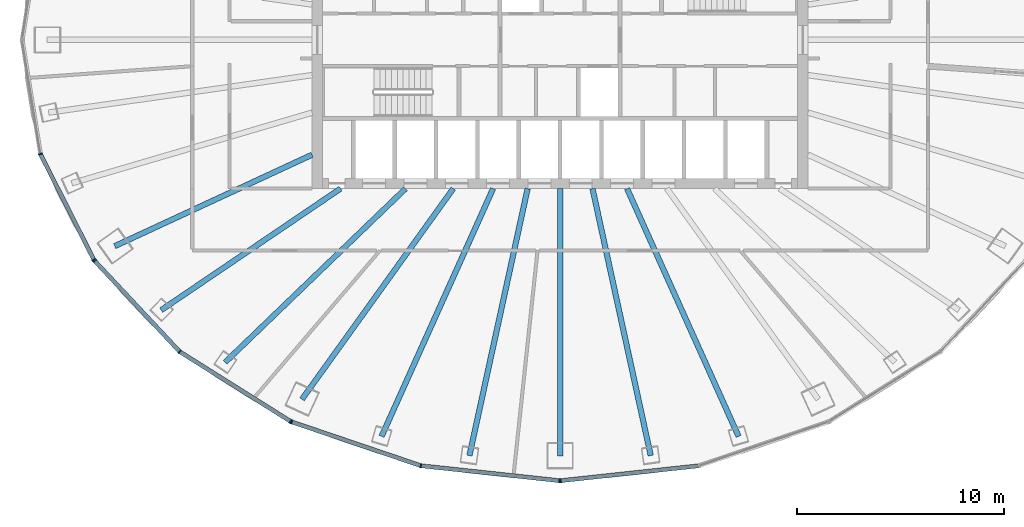
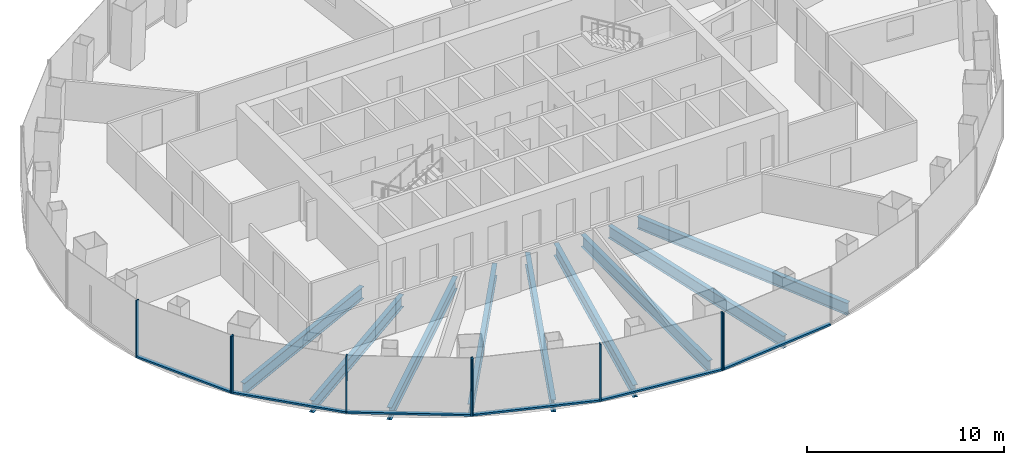
# One storey, part 2 of 12: 15 members, 9 beams, 4 elements without a shape of their own.
"""IFC4 building model written with IfcOpenShell, lengths in metres."""

from ifc_helpers import new_model, si_unit, direction, frame, origin, origin_2d, place, context, subcontext, project, spatial, rectangle, i_section, extrude, material, layer, layer_set, material_profile, profile_set, type_object, element, aggregate, save


model = new_model("IFC4")

# Units and contexts
model_context = context("Model", 3, precision=1e-05, world=origin(), true_north=direction((0.0, 1.0)))
body_context = subcontext(model_context, "Body", "Model", "MODEL_VIEW")
ifc_project = project(units=[si_unit("LENGTHUNIT", "METRE"), si_unit("AREAUNIT", "SQUARE_METRE"), si_unit("VOLUMEUNIT", "CUBIC_METRE"), si_unit("PLANEANGLEUNIT", "RADIAN"), si_unit("MASSUNIT", "GRAM", prefix="KILO")], contexts=[model_context])

# Site, building, storey
site_placement = place(None, origin())
site = spatial("IfcSite", under=ifc_project, at=site_placement, CompositionType="ELEMENT")
building_placement = place(site_placement, origin())
building = spatial("IfcBuilding", under=site, at=building_placement, Name="Siaravel Broadcast Tower", CompositionType="ELEMENT")
storey_placement = place(building_placement, frame((0.0, 0.0, 104.5)))
storey = spatial("IfcBuildingStorey", under=building, at=storey_placement, Name="L24", CompositionType="ELEMENT", Elevation=104.5)

# Beams
ifc_material_1 = material(Name="Steel S355", Category="steel")
ifc_material_profile_1 = material_profile(ifc_material_1, i_section(OverallWidth=0.26513671875, OverallDepth=0.75390625, WebThickness=0.0126953125, FlangeThickness=0.017578125, FilletRadius=0.0166015625, at=origin_2d()))
ifc_profile_set_1 = profile_set([ifc_material_profile_1], Name="Steel S355")
beam_type = type_object("IfcBeamType", Name="BM-UB 762x267x147", PredefinedType="BEAM", material=ifc_profile_set_1)
beam_1_placement = place(storey_placement, frame((-21.552978515625, -9.984130859375, -0.52685546875), z_axis=(0.90737209, 0.420328312, 0.0), x_axis=(-0.420328312, 0.90737209, 0.0)))
element("IfcBeam", 1, at=beam_1_placement, inside=storey, type_object=beam_type, Name="Radial beam RB22", PredefinedType="BEAM", context=body_context, shape_type="SweptSolid", body=[
    extrude(i_section(OverallWidth=0.26513671875, OverallDepth=0.75390625, WebThickness=0.0126953125, FlangeThickness=0.017578125, FilletRadius=0.0166015625, at=origin_2d()), origin(), (0.0, 0.0, 1.0), 10.528076171875),
])
beam_2_placement = place(storey_placement, frame((-19.30126953125, -13.07763671875, -0.52685546875), z_axis=(0.827865291, 0.560926964, 0.0), x_axis=(-0.560926964, 0.827865291, 0.0)))
element("IfcBeam", 2, at=beam_2_placement, inside=storey, type_object=beam_type, Name="Radial beam RB23", PredefinedType="BEAM", context=body_context, shape_type="SweptSolid", body=[
    extrude(i_section(OverallWidth=0.26513671875, OverallDepth=0.75390625, WebThickness=0.0126953125, FlangeThickness=0.017578125, FilletRadius=0.0166015625, at=origin_2d()), origin(), (0.0, 0.0, 1.0), 10.478515625),
])
beam_3_placement = place(storey_placement, frame((-16.21142578125, -15.6083984375, -0.52685546875), z_axis=(0.720372012, 0.693587892, 0.0), x_axis=(-0.693587892, 0.720372012, 0.0)))
element("IfcBeam", 3, at=beam_3_placement, inside=storey, type_object=beam_type, Name="Radial beam RB24", PredefinedType="BEAM", context=body_context, shape_type="SweptSolid", body=[
    extrude(i_section(OverallWidth=0.26513671875, OverallDepth=0.75390625, WebThickness=0.0126953125, FlangeThickness=0.017578125, FilletRadius=0.0166015625, at=origin_2d()), origin(), (0.0, 0.0, 1.0), 12.123046875),
])
beam_4_placement = place(storey_placement, frame((-12.492431640625, -17.396484375, -0.52685546875), z_axis=(0.583282136, 0.812269628, 0.0), x_axis=(-0.812269628, 0.583282136, 0.0)))
element("IfcBeam", 4, at=beam_4_placement, inside=storey, type_object=beam_type, Name="Radial beam RB25", PredefinedType="BEAM", context=body_context, shape_type="SweptSolid", body=[
    extrude(i_section(OverallWidth=0.26513671875, OverallDepth=0.75390625, WebThickness=0.0126953125, FlangeThickness=0.017578125, FilletRadius=0.0166015625, at=origin_2d()), origin(), (0.0, 0.0, 1.0), 12.55322265625),
])
beam_5_placement = place(storey_placement, frame((-8.638427734375, -19.1884765625, -0.52685546875), z_axis=(0.410499795, 0.91186069, 0.0), x_axis=(-0.91186069, 0.410499795, 0.0)))
element("IfcBeam", 5, at=beam_5_placement, inside=storey, type_object=beam_type, Name="Radial beam RB26", PredefinedType="BEAM", context=body_context, shape_type="SweptSolid", body=[
    extrude(i_section(OverallWidth=0.26513671875, OverallDepth=0.75390625, WebThickness=0.0126953125, FlangeThickness=0.017578125, FilletRadius=0.0166015625, at=origin_2d()), origin(), (0.0, 0.0, 1.0), 13.147216796875),
])
beam_6_placement = place(storey_placement, frame((-4.387451171875, -20.12158203125, -0.52685546875), z_axis=(0.213031228, 0.977045391, 0.0), x_axis=(-0.977045391, 0.213031228, 0.0)))
element("IfcBeam", 6, at=beam_6_placement, inside=storey, type_object=beam_type, Name="Radial beam RB27", PredefinedType="BEAM", context=body_context, shape_type="SweptSolid", body=[
    extrude(i_section(OverallWidth=0.26513671875, OverallDepth=0.75390625, WebThickness=0.0126953125, FlangeThickness=0.017578125, FilletRadius=0.0166015625, at=origin_2d()), origin(), (0.0, 0.0, 1.0), 13.22509765625),
])
beam_7_placement = place(storey_placement, frame((0.0, -20.135986328125, -0.52685546875), z_axis=(0.0, 1.0, 0.0), x_axis=(-1.0, 0.0, 0.0)))
element("IfcBeam", 7, at=beam_7_placement, inside=storey, type_object=beam_type, Name="Radial beam RB28", PredefinedType="BEAM", context=body_context, shape_type="SweptSolid", body=[
    extrude(i_section(OverallWidth=0.26513671875, OverallDepth=0.75390625, WebThickness=0.0126953125, FlangeThickness=0.017578125, FilletRadius=0.0166015625, at=origin_2d()), origin(), (0.0, 0.0, 1.0), 12.93603515625),
])
beam_8_placement = place(storey_placement, frame((4.387451171875, -20.12158203125, -0.52685546875), z_axis=(-0.213031228, 0.977045391, 0.0), x_axis=(-0.977045391, -0.213031228, 0.0)))
element("IfcBeam", 8, at=beam_8_placement, inside=storey, type_object=beam_type, Name="Radial beam RB29", PredefinedType="BEAM", context=body_context, shape_type="SweptSolid", body=[
    extrude(i_section(OverallWidth=0.26513671875, OverallDepth=0.75390625, WebThickness=0.0126953125, FlangeThickness=0.017578125, FilletRadius=0.0166015625, at=origin_2d()), origin(), (0.0, 0.0, 1.0), 13.22509765625),
])
beam_9_placement = place(storey_placement, frame((8.638427734375, -19.1884765625, -0.52685546875), z_axis=(-0.410499795, 0.91186069, 0.0), x_axis=(-0.91186069, -0.410499795, 0.0)))
element("IfcBeam", 9, at=beam_9_placement, inside=storey, type_object=beam_type, Name="Radial beam RB30", PredefinedType="BEAM", context=body_context, shape_type="SweptSolid", body=[
    extrude(i_section(OverallWidth=0.26513671875, OverallDepth=0.75390625, WebThickness=0.0126953125, FlangeThickness=0.017578125, FilletRadius=0.0166015625, at=origin_2d()), origin(), (0.0, 0.0, 1.0), 13.147216796875),
])

# Curtain wall, members
ifc_material_2 = material(Name="Aluminium 6063-T6", Category="aluminium")
ifc_layer = layer(ifc_material_2, 0.199951171875)
ifc_layer_set = layer_set([ifc_layer], Name="Aluminium 6063-T6")
curtain_wall_type = type_object("IfcCurtainWallType", Name="Unitised curtain wall, zone 2", PredefinedType="NOTDEFINED", material=ifc_layer_set)
curtain_wall_1_placement = place(storey_placement, origin())
curtain_wall_1 = element("IfcCurtainWall", 10, at=curtain_wall_1_placement, inside=storey, type_object=curtain_wall_type, Name="L24 Unitised curtain wall, zone 2 07", PredefinedType="NOTDEFINED")
ifc_material_profile_2 = material_profile(ifc_material_2, rectangle(XDim=0.199951171875, YDim=0.06494140625, at=origin_2d()))
ifc_profile_set_2 = profile_set([ifc_material_profile_2], Name="Aluminium 6063-T6")
member_type_1 = type_object("IfcMemberType", Name="CW-Z2 mullion", PredefinedType="MULLION", material=ifc_profile_set_2)
member_1_placement = place(storey_placement, frame((-25.151611328125, -5.525390625, 0.0), z_axis=(0.0, 0.0, 1.0), x_axis=(0.951177085, 0.308645676, 0.0)))
member_1 = element("IfcMember", 11, at=member_1_placement, type_object=member_type_1, Name="CW-Z2 mullion 2", PredefinedType="MULLION", context=body_context, shape_type="SweptSolid", body=[
    extrude(rectangle(XDim=0.199951171875, YDim=0.06494140625, at=origin_2d()), origin(), (0.0, 0.0, 1.0), 3.550048828125),
])
member_2_placement = place(storey_placement, frame((-22.56298828125, -10.64404296875, 0.0), z_axis=(0.0, 0.0, 1.0), x_axis=(0.892391822, 0.451261384, 0.0)))
member_2 = element("IfcMember", 12, at=member_2_placement, type_object=member_type_1, Name="CW-Z2 mullion 3", PredefinedType="MULLION", context=body_context, shape_type="SweptSolid", body=[
    extrude(rectangle(XDim=0.199951171875, YDim=0.06494140625, at=origin_2d()), origin(), (0.0, 0.0, 1.0), 3.550048828125),
])

curtain_wall_2_placement = place(storey_placement, origin())
curtain_wall_2 = element("IfcCurtainWall", 13, at=curtain_wall_2_placement, inside=storey, type_object=curtain_wall_type, Name="L24 Unitised curtain wall, zone 2 08", PredefinedType="NOTDEFINED")
member_3_placement = place(storey_placement, frame((-22.526123046875, -10.69677734375, 0.0), z_axis=(0.0, 0.0, 1.0), x_axis=(0.729804854, 0.683655524, 0.0)))
member_3 = element("IfcMember", 14, at=member_3_placement, type_object=member_type_1, Name="CW-Z2 mullion 1", PredefinedType="MULLION", context=body_context, shape_type="SweptSolid", body=[
    extrude(rectangle(XDim=0.199951171875, YDim=0.06494140625, at=origin_2d()), origin(), (0.0, 0.0, 1.0), 3.550048828125),
])
member_4_placement = place(storey_placement, frame((-18.408935546875, -15.091796875, 0.0), z_axis=(0.0, 0.0, 1.0), x_axis=(0.636218267, 0.771509117, 0.0)))
member_4 = element("IfcMember", 15, at=member_4_placement, type_object=member_type_1, Name="CW-Z2 mullion 2", PredefinedType="MULLION", context=body_context, shape_type="SweptSolid", body=[
    extrude(rectangle(XDim=0.199951171875, YDim=0.06494140625, at=origin_2d()), origin(), (0.0, 0.0, 1.0), 3.550048828125),
])
member_5_placement = place(storey_placement, frame((-13.043701171875, -18.464111328125, 0.0), z_axis=(0.0, 0.0, 1.0), x_axis=(0.5321489, 0.846650783, 0.0)))
member_5 = element("IfcMember", 16, at=member_5_placement, type_object=member_type_1, Name="CW-Z2 mullion 3", PredefinedType="MULLION", context=body_context, shape_type="SweptSolid", body=[
    extrude(rectangle(XDim=0.199951171875, YDim=0.06494140625, at=origin_2d()), origin(), (0.0, 0.0, 1.0), 3.550048828125),
])

curtain_wall_3_placement = place(storey_placement, origin())
curtain_wall_3 = element("IfcCurtainWall", 17, at=curtain_wall_3_placement, inside=storey, type_object=curtain_wall_type, Name="L24 Unitised curtain wall, zone 2 09", PredefinedType="NOTDEFINED")
member_6_placement = place(storey_placement, frame((-12.9853515625, -18.491943359375, 0.0), z_axis=(0.0, 0.0, 1.0), x_axis=(0.321300433, 0.946977313, 0.0)))
member_6 = element("IfcMember", 18, at=member_6_placement, type_object=member_type_1, Name="CW-Z2 mullion 1", PredefinedType="MULLION", context=body_context, shape_type="SweptSolid", body=[
    extrude(rectangle(XDim=0.199951171875, YDim=0.06494140625, at=origin_2d()), origin(), (0.0, 0.0, 1.0), 3.550048828125),
])
member_7_placement = place(storey_placement, frame((-6.7373046875, -20.61181640625, 0.0), z_axis=(0.0, 0.0, 1.0), x_axis=(0.215557941, 0.976491052, 0.0)))
member_7 = element("IfcMember", 19, at=member_7_placement, type_object=member_type_1, Name="CW-Z2 mullion 2", PredefinedType="MULLION", context=body_context, shape_type="SweptSolid", body=[
    extrude(rectangle(XDim=0.199951171875, YDim=0.06494140625, at=origin_2d()), origin(), (0.0, 0.0, 1.0), 3.550048828125),
])
member_8_placement = place(storey_placement, frame((-0.0322265625, -21.334716796875, 0.0), z_axis=(0.0, 0.0, 1.0), x_axis=(0.107217428, 0.994235597, 0.0)))
member_8 = element("IfcMember", 20, at=member_8_placement, type_object=member_type_1, Name="CW-Z2 mullion 3", PredefinedType="MULLION", context=body_context, shape_type="SweptSolid", body=[
    extrude(rectangle(XDim=0.199951171875, YDim=0.06494140625, at=origin_2d()), origin(), (0.0, 0.0, 1.0), 3.550048828125),
])

# Curtain wall, member
curtain_wall_4_placement = place(storey_placement, origin())
curtain_wall_4 = element("IfcCurtainWall", 21, at=curtain_wall_4_placement, inside=storey, type_object=curtain_wall_type, Name="L24 Unitised curtain wall, zone 2 10", PredefinedType="NOTDEFINED")
member_9_placement = place(storey_placement, frame((0.0322265625, -21.334716796875, 0.0), z_axis=(0.0, 0.0, 1.0), x_axis=(-0.107217428, 0.994235597, 0.0)))
member_9 = element("IfcMember", 22, at=member_9_placement, type_object=member_type_1, Name="CW-Z2 mullion 1", PredefinedType="MULLION", context=body_context, shape_type="SweptSolid", body=[
    extrude(rectangle(XDim=0.199951171875, YDim=0.06494140625, at=origin_2d()), origin(), (0.0, 0.0, 1.0), 3.550048828125),
])

# Member
ifc_material_profile_3 = material_profile(ifc_material_2, rectangle(XDim=0.199951171875, YDim=0.110107421875, at=origin_2d()))
ifc_profile_set_3 = profile_set([ifc_material_profile_3], Name="Aluminium 6063-T6")
member_type_2 = type_object("IfcMemberType", Name="CW-Z2 transom", PredefinedType="USERDEFINED", material=ifc_profile_set_3)
member_10_placement = place(storey_placement, frame((-25.13671875, -5.554443359375, 0.054931640625), z_axis=(0.45123882, -0.892403231, 0.0), x_axis=(0.892403231, 0.45123882, 0.0)))
member_10 = element("IfcMember", 23, at=member_10_placement, type_object=member_type_2, Name="CW-Z2 transom 2", ObjectType="TRANSOM", PredefinedType="USERDEFINED", context=body_context, shape_type="SweptSolid", body=[
    extrude(rectangle(XDim=0.199951171875, YDim=0.110107421875, at=origin_2d()), origin(), (0.0, 0.0, 1.0), 5.670654296875),
])

aggregate(curtain_wall_1, [member_1, member_2, member_10])

member_11_placement = place(storey_placement, frame((-22.50390625, -10.720458984375, 0.054931640625), z_axis=(0.6836357, -0.729823424, 0.0), x_axis=(0.729823424, 0.6836357, 0.0)))
member_11 = element("IfcMember", 24, at=member_11_placement, type_object=member_type_2, Name="CW-Z2 transom 1", ObjectType="TRANSOM", PredefinedType="USERDEFINED", context=body_context, shape_type="SweptSolid", body=[
    extrude(rectangle(XDim=0.199951171875, YDim=0.110107421875, at=origin_2d()), origin(), (0.0, 0.0, 1.0), 5.95703125),
])

member_12_placement = place(storey_placement, frame((-18.381591796875, -15.109130859375, 0.054931640625), z_axis=(0.846655089, -0.532142049, 0.0), x_axis=(0.532142049, 0.846655089, 0.0)))
member_12 = element("IfcMember", 25, at=member_12_placement, type_object=member_type_2, Name="CW-Z2 transom 2", ObjectType="TRANSOM", PredefinedType="USERDEFINED", context=body_context, shape_type="SweptSolid", body=[
    extrude(rectangle(XDim=0.199951171875, YDim=0.110107421875, at=origin_2d()), origin(), (0.0, 0.0, 1.0), 6.272216796875),
])

aggregate(curtain_wall_2, [member_3, member_4, member_5, member_11, member_12])

member_13_placement = place(storey_placement, frame((-12.95458984375, -18.502197265625, 0.054931640625), z_axis=(0.946973015, -0.321313101, 0.0), x_axis=(0.321313101, 0.946973015, 0.0)))
member_13 = element("IfcMember", 26, at=member_13_placement, type_object=member_type_2, Name="CW-Z2 transom 1", ObjectType="TRANSOM", PredefinedType="USERDEFINED", context=body_context, shape_type="SweptSolid", body=[
    extrude(rectangle(XDim=0.199951171875, YDim=0.110107421875, at=origin_2d()), origin(), (0.0, 0.0, 1.0), 6.532958984375),
])

member_14_placement = place(storey_placement, frame((-6.705078125, -20.615234375, 0.054931640625), z_axis=(0.994236043, -0.107213291, 0.0), x_axis=(0.107213291, 0.994236043, 0.0)))
member_14 = element("IfcMember", 27, at=member_14_placement, type_object=member_type_2, Name="CW-Z2 transom 2", ObjectType="TRANSOM", PredefinedType="USERDEFINED", context=body_context, shape_type="SweptSolid", body=[
    extrude(rectangle(XDim=0.199951171875, YDim=0.110107421875, at=origin_2d()), origin(), (0.0, 0.0, 1.0), 6.678955078125),
])

aggregate(curtain_wall_3, [member_6, member_7, member_8, member_13, member_14])

member_15_placement = place(storey_placement, frame((0.064697265625, -21.331298828125, 0.054931640625), z_axis=(0.994236043, 0.107213291, 0.0), x_axis=(-0.107213291, 0.994236043, 0.0)))
member_15 = element("IfcMember", 28, at=member_15_placement, type_object=member_type_2, Name="CW-Z2 transom 1", ObjectType="TRANSOM", PredefinedType="USERDEFINED", context=body_context, shape_type="SweptSolid", body=[
    extrude(rectangle(XDim=0.199951171875, YDim=0.110107421875, at=origin_2d()), origin(), (0.0, 0.0, 1.0), 6.678955078125),
])

aggregate(curtain_wall_4, [member_9, member_15])

save(model, "model.ifc")
